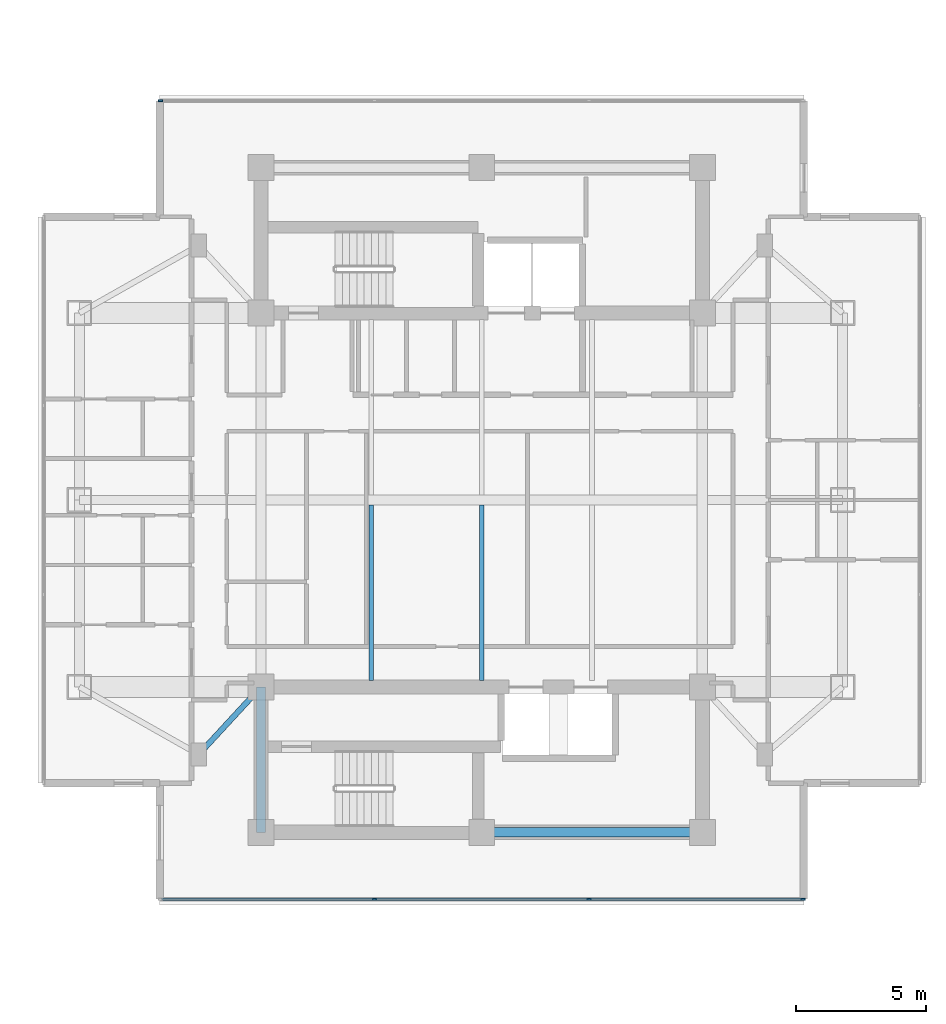
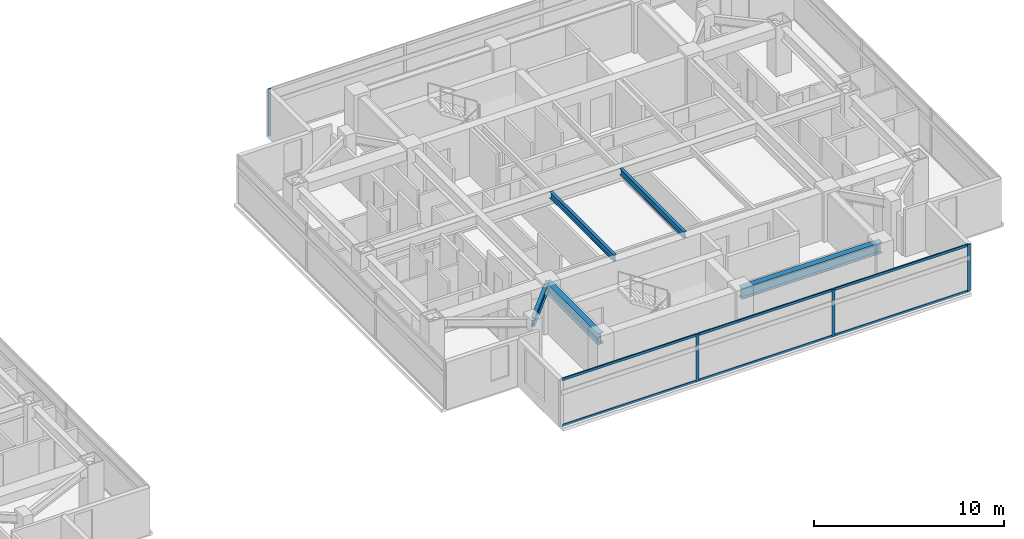
# One storey, part 9 of 24: 10 members, 5 beams, 2 elements without a shape of their own.
"""IFC4 building model written with IfcOpenShell, lengths in metres."""

from ifc_helpers import new_model, si_unit, direction, frame, origin, origin_2d, place, context, subcontext, project, spatial, rectangle, i_section, extrude, material, material_profile, profile_set, type_object, element, aggregate, save


model = new_model("IFC4")

# Units and contexts
model_context = context("Model", 3, precision=1e-05, world=origin(), true_north=direction((0.0, 1.0)))
body_context = subcontext(model_context, "Body", "Model", "MODEL_VIEW")
ifc_project = project(units=[si_unit("LENGTHUNIT", "METRE"), si_unit("AREAUNIT", "SQUARE_METRE"), si_unit("VOLUMEUNIT", "CUBIC_METRE"), si_unit("PLANEANGLEUNIT", "RADIAN"), si_unit("MASSUNIT", "GRAM", prefix="KILO")], contexts=[model_context])

# Site, building, storey
site_placement = place(None, origin())
site = spatial("IfcSite", under=ifc_project, at=site_placement, CompositionType="ELEMENT")
building_placement = place(site_placement, origin())
building = spatial("IfcBuilding", under=site, at=building_placement, Name="Mirazonda Arch Towers", CompositionType="ELEMENT")
storey_placement = place(building_placement, frame((0.0, 0.0, 157.64990234375)))
storey = spatial("IfcBuildingStorey", under=building, at=storey_placement, Name="L44", CompositionType="ELEMENT", Elevation=157.64990234375)

# Beams
ifc_material_1 = material(Name="Steel ASTM A992 Grade 50", Category="steel")
ifc_material_profile_1 = material_profile(ifc_material_1, i_section(OverallWidth=0.180908203125, OverallDepth=0.4169921875, WebThickness=0.010986328125, FlangeThickness=0.018310546875, at=origin_2d()), Name="W16X57")
ifc_profile_set_1 = profile_set([ifc_material_profile_1], Name="Steel ASTM A992 Grade 50")
beam_type_1 = type_object("IfcBeamType", Name="BM-INT-W16X57", PredefinedType="JOIST", material=ifc_profile_set_1)
for number, where, z_axis, x_axis, name in (
    (1, (72.25, 21.0400390625, 2.841552734375), (0.0, 1.0, 0.0), (-1.0, 0.0, 0.0), "L44 Floor Beam BM-T2-L44-J-722-20"),
    (2, (76.5, 21.0400390625, 2.841552734375), (0.0, 1.0, 0.0), (-1.0, 0.0, 0.0), "L44 Floor Beam BM-T2-L44-J-765-20"),
):
    element("IfcBeam", number, at=place(storey_placement, frame(where, z_axis=z_axis, x_axis=x_axis)), inside=storey, type_object=beam_type_1, Name=name, PredefinedType="JOIST", context=body_context, shape_type="SweptSolid", body=[
        extrude(i_section(OverallWidth=0.180908203125, OverallDepth=0.4169921875, WebThickness=0.010986328125, FlangeThickness=0.018310546875, at=origin_2d()), origin(), (0.0, 0.0, 1.0), 6.763916015625),
    ])
ifc_material_profile_2 = material_profile(ifc_material_1, i_section(OverallWidth=0.214111328125, OverallDepth=0.549072265625, WebThickness=0.0146484375, FlangeThickness=0.023681640625, at=origin_2d()), Name="W21X93")
ifc_profile_set_2 = profile_set([ifc_material_profile_2], Name="Steel ASTM A992 Grade 50")
beam_type_2 = type_object("IfcBeamType", Name="BM-INT-W21X93", PredefinedType="BEAM", material=ifc_profile_set_2)
beam_1_placement = place(storey_placement, frame((65.60009765625, 18.199951171875, 2.775634765625), z_axis=(0.678251444854, 0.734829897019, 0.0), x_axis=(-0.734829897019, 0.678251444854, 0.0)))
element("IfcBeam", 3, at=beam_1_placement, inside=storey, type_object=beam_type_2, Name="L44 Floor Beam BM-T2-L44-PL-SW1", PredefinedType="BEAM", context=body_context, shape_type="SweptSolid", body=[
    extrude(i_section(OverallWidth=0.214111328125, OverallDepth=0.549072265625, WebThickness=0.0146484375, FlangeThickness=0.023681640625, at=origin_2d()), origin(), (0.0, 0.0, 1.0), 3.538330078125),
])
ifc_material_profile_3 = material_profile(ifc_material_1, i_section(OverallWidth=0.35498046875, OverallDepth=0.696044921875, WebThickness=0.015380859375, FlangeThickness=0.02490234375, at=origin_2d()), Name="W27X146")
ifc_profile_set_3 = profile_set([ifc_material_profile_3], Name="Steel ASTM A992 Grade 50")
beam_type_3 = type_object("IfcBeamType", Name="BM-INT-W27X146", PredefinedType="BEAM", material=ifc_profile_set_3)
beam_2_placement = place(storey_placement, frame((76.5, 15.199951171875, 2.7021484375), z_axis=(1.0, 0.0, 0.0), x_axis=(0.0, 1.0, 0.0)))
element("IfcBeam", 4, at=beam_2_placement, inside=storey, type_object=beam_type_3, Name="L44 Floor Beam BM-T2-L44-CS2", PredefinedType="BEAM", context=body_context, shape_type="SweptSolid", body=[
    extrude(i_section(OverallWidth=0.35498046875, OverallDepth=0.696044921875, WebThickness=0.015380859375, FlangeThickness=0.02490234375, at=origin_2d()), origin(), (0.0, 0.0, 1.0), 8.5),
])
beam_3_placement = place(storey_placement, frame((68.0, 15.199951171875, 2.7021484375), z_axis=(0.0, 1.0, 0.0), x_axis=(-1.0, 0.0, 0.0)))
element("IfcBeam", 5, at=beam_3_placement, inside=storey, type_object=beam_type_3, Name="L44 Floor Beam BM-T2-L44-CSW", PredefinedType="BEAM", context=body_context, shape_type="SweptSolid", body=[
    extrude(i_section(OverallWidth=0.35498046875, OverallDepth=0.696044921875, WebThickness=0.015380859375, FlangeThickness=0.02490234375, at=origin_2d()), origin(), (0.0, 0.0, 1.0), 5.60009765625),
])

# Curtain wall, members
ifc_material_2 = material(Name="Anodised Aluminium and Low-E Glass", Category="aluminium")
curtain_wall_type = type_object("IfcCurtainWallType", Name="CW-RES-UNIT", PredefinedType="NOTDEFINED", material=ifc_material_2)
curtain_wall_1_placement = place(storey_placement, origin())
curtain_wall_1 = element("IfcCurtainWall", 6, at=curtain_wall_1_placement, inside=storey, type_object=curtain_wall_type, Name="L44 T2 S Facade CW-L44-T2-S", PredefinedType="NOTDEFINED")
ifc_material_3 = material(Name="Anodised Aluminium Alloy", Category="aluminium")
ifc_material_profile_4 = material_profile(ifc_material_3, rectangle(XDim=0.074951171875, YDim=0.175048828125, at=origin_2d()), Name="ALU-MULL-75x175")
ifc_profile_set_4 = profile_set([ifc_material_profile_4], Name="Anodised Aluminium Alloy")
member_type_1 = type_object("IfcMemberType", Name="MULL-CW-RES-UNIT", PredefinedType="MULLION", material=ifc_profile_set_4)
member_1_placement = place(storey_placement, frame((88.867919921875, 12.625244140625, 0.0), z_axis=(0.0, 0.0, 1.0), x_axis=(0.0, -1.0, 0.0)))
member_1 = element("IfcMember", 7, at=member_1_placement, type_object=member_type_1, Name="CW-104 mullion 1", PredefinedType="MULLION", context=body_context, shape_type="SweptSolid", body=[
    extrude(rectangle(XDim=0.074951171875, YDim=0.175048828125, at=origin_2d()), origin(), (0.0, 0.0, 1.0), 3.030029296875),
])
member_2_placement = place(storey_placement, frame((80.635009765625, 12.625244140625, 0.0), z_axis=(0.0, 0.0, 1.0), x_axis=(0.0, -1.0, 0.0)))
member_2 = element("IfcMember", 8, at=member_2_placement, type_object=member_type_1, Name="CW-104 mullion 2", PredefinedType="MULLION", context=body_context, shape_type="SweptSolid", body=[
    extrude(rectangle(XDim=0.074951171875, YDim=0.175048828125, at=origin_2d()), origin(), (0.0, 0.0, 1.0), 3.030029296875),
])
member_3_placement = place(storey_placement, frame((72.364990234375, 12.625244140625, 0.0), z_axis=(0.0, 0.0, 1.0), x_axis=(0.0, -1.0, 0.0)))
member_3 = element("IfcMember", 9, at=member_3_placement, type_object=member_type_1, Name="CW-104 mullion 3", PredefinedType="MULLION", context=body_context, shape_type="SweptSolid", body=[
    extrude(rectangle(XDim=0.074951171875, YDim=0.175048828125, at=origin_2d()), origin(), (0.0, 0.0, 1.0), 3.030029296875),
])

# Curtain wall, member
curtain_wall_2_placement = place(storey_placement, origin())
curtain_wall_2 = element("IfcCurtainWall", 10, at=curtain_wall_2_placement, inside=storey, type_object=curtain_wall_type, Name="L44 T2 N Facade CW-L44-T2-N", PredefinedType="NOTDEFINED")
member_4_placement = place(storey_placement, frame((64.132080078125, 43.374755859375, 0.0), z_axis=(0.0, 0.0, 1.0), x_axis=(0.0, 1.0, 0.0)))
member_4 = element("IfcMember", 11, at=member_4_placement, type_object=member_type_1, Name="CW-104 mullion 1", PredefinedType="MULLION", context=body_context, shape_type="SweptSolid", body=[
    extrude(rectangle(XDim=0.074951171875, YDim=0.175048828125, at=origin_2d()), origin(), (0.0, 0.0, 1.0), 3.030029296875),
])
aggregate(curtain_wall_2, [member_4])

# Member
ifc_material_profile_5 = material_profile(ifc_material_3, rectangle(XDim=0.074951171875, YDim=0.155029296875, at=origin_2d()), Name="ALU-TRAN-75x155")
ifc_profile_set_5 = profile_set([ifc_material_profile_5], Name="Anodised Aluminium Alloy")
member_type_2 = type_object("IfcMemberType", Name="TRAN-CW-RES-UNIT", PredefinedType="USERDEFINED", material=ifc_profile_set_5)
member_5_placement = place(storey_placement, frame((88.830322265625, 12.625244140625, 0.03759765625), z_axis=(-1.0, 0.0, 0.0), x_axis=(0.0, -1.0, 0.0)))
member_5 = element("IfcMember", 12, at=member_5_placement, type_object=member_type_2, Name="CW-104 transom 1.1", ObjectType="TRANSOM", PredefinedType="USERDEFINED", context=body_context, shape_type="SweptSolid", body=[
    extrude(rectangle(XDim=0.074951171875, YDim=0.155029296875, at=origin_2d()), origin(), (0.0, 0.0, 1.0), 8.15771484375),
])

member_6_placement = place(storey_placement, frame((88.830322265625, 12.625244140625, 2.99267578125), z_axis=(-1.0, 0.0, 0.0), x_axis=(0.0, -1.0, 0.0)))
member_6 = element("IfcMember", 13, at=member_6_placement, type_object=member_type_2, Name="CW-104 transom 1.2", ObjectType="TRANSOM", PredefinedType="USERDEFINED", context=body_context, shape_type="SweptSolid", body=[
    extrude(rectangle(XDim=0.074951171875, YDim=0.155029296875, at=origin_2d()), origin(), (0.0, 0.0, 1.0), 8.15771484375),
])

member_7_placement = place(storey_placement, frame((80.59765625, 12.625244140625, 0.03759765625), z_axis=(-1.0, 0.0, 0.0), x_axis=(0.0, -1.0, 0.0)))
member_7 = element("IfcMember", 14, at=member_7_placement, type_object=member_type_2, Name="CW-104 transom 2.1", ObjectType="TRANSOM", PredefinedType="USERDEFINED", context=body_context, shape_type="SweptSolid", body=[
    extrude(rectangle(XDim=0.074951171875, YDim=0.155029296875, at=origin_2d()), origin(), (0.0, 0.0, 1.0), 8.1953125),
])

member_8_placement = place(storey_placement, frame((80.59765625, 12.625244140625, 2.99267578125), z_axis=(-1.0, 0.0, 0.0), x_axis=(0.0, -1.0, 0.0)))
member_8 = element("IfcMember", 15, at=member_8_placement, type_object=member_type_2, Name="CW-104 transom 2.2", ObjectType="TRANSOM", PredefinedType="USERDEFINED", context=body_context, shape_type="SweptSolid", body=[
    extrude(rectangle(XDim=0.074951171875, YDim=0.155029296875, at=origin_2d()), origin(), (0.0, 0.0, 1.0), 8.1953125),
])

member_9_placement = place(storey_placement, frame((72.327392578125, 12.625244140625, 0.03759765625), z_axis=(-1.0, 0.0, 0.0), x_axis=(0.0, -1.0, 0.0)))
member_9 = element("IfcMember", 16, at=member_9_placement, type_object=member_type_2, Name="CW-104 transom 3.1", ObjectType="TRANSOM", PredefinedType="USERDEFINED", context=body_context, shape_type="SweptSolid", body=[
    extrude(rectangle(XDim=0.074951171875, YDim=0.155029296875, at=origin_2d()), origin(), (0.0, 0.0, 1.0), 8.15771484375),
])

member_10_placement = place(storey_placement, frame((72.327392578125, 12.625244140625, 2.99267578125), z_axis=(-1.0, 0.0, 0.0), x_axis=(0.0, -1.0, 0.0)))
member_10 = element("IfcMember", 17, at=member_10_placement, type_object=member_type_2, Name="CW-104 transom 3.2", ObjectType="TRANSOM", PredefinedType="USERDEFINED", context=body_context, shape_type="SweptSolid", body=[
    extrude(rectangle(XDim=0.074951171875, YDim=0.155029296875, at=origin_2d()), origin(), (0.0, 0.0, 1.0), 8.15771484375),
])

aggregate(curtain_wall_1, [member_1, member_2, member_3, member_5, member_6, member_7, member_8, member_9, member_10])

save(model, "model.ifc")
